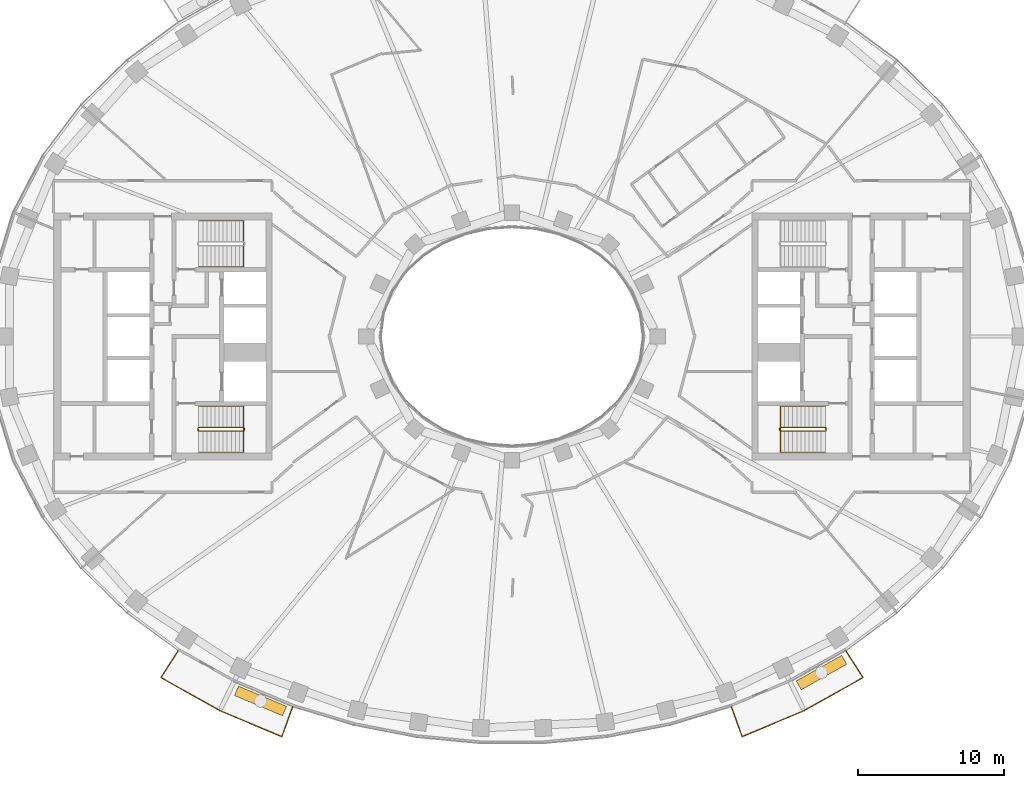
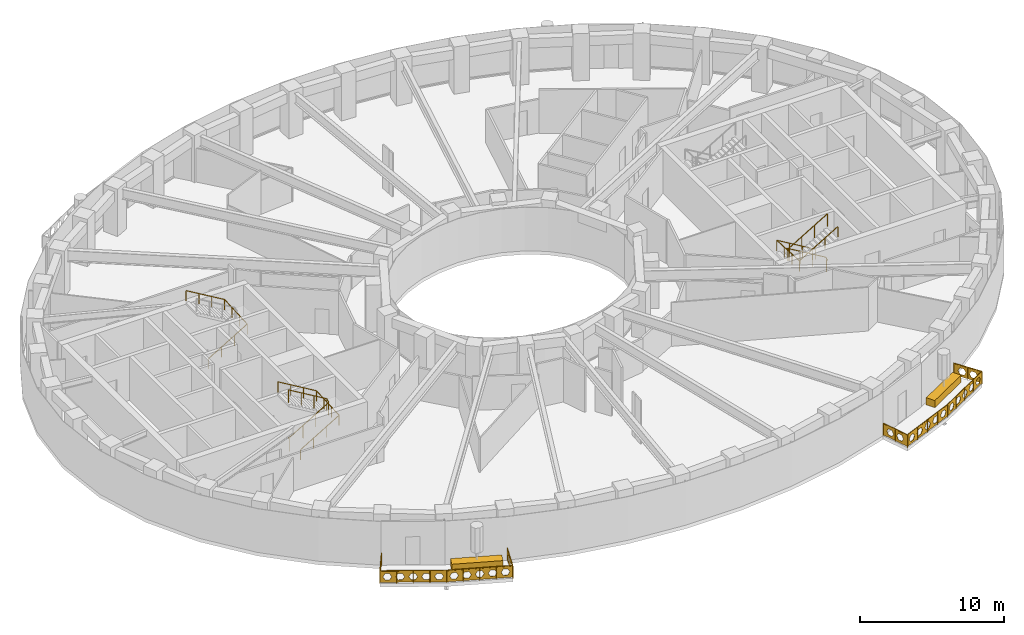
# One storey, part 13 of 15: 7 railings, 2 coverings.
"""IFC4 building model written with IfcOpenShell, lengths in metres."""

from ifc_helpers import new_model, si_unit, direction, frame, origin, origin_2d, place, context, subcontext, project, spatial, polyline, rectangle, outline, extrude, material, type_object, element, save


model = new_model("IFC4")

# Units and contexts
model_context = context("Model", 3, precision=1e-05, world=origin(), true_north=direction((0.0, 1.0)))
body_context = subcontext(model_context, "Body", "Model", "MODEL_VIEW")
ifc_project = project(units=[si_unit("LENGTHUNIT", "METRE"), si_unit("AREAUNIT", "SQUARE_METRE"), si_unit("VOLUMEUNIT", "CUBIC_METRE"), si_unit("PLANEANGLEUNIT", "RADIAN"), si_unit("MASSUNIT", "GRAM", prefix="KILO")], contexts=[model_context])

# Site, building, storey
site_placement = place(None, origin())
site = spatial("IfcSite", under=ifc_project, at=site_placement, CompositionType="ELEMENT")
building_placement = place(site_placement, origin())
building = spatial("IfcBuilding", under=site, at=building_placement, Name="Noorbagh Ring Tower", CompositionType="ELEMENT")
storey_placement = place(building_placement, frame((0.0, 0.0, 194.0)))
storey = spatial("IfcBuildingStorey", under=building, at=storey_placement, Name="L45", CompositionType="ELEMENT", Elevation=194.0)

# Railings
ifc_material_1 = material(Name="Stainless steel", Category="steel")
railing_type_1 = type_object("IfcRailingType", Name="CORE-STAIR-GUARD", PredefinedType="GUARDRAIL", material=ifc_material_1)
railing_1_placement = place(storey_placement, frame((-21.580078125, -6.449951171875, 0.0)))
element("IfcRailing", 1, at=railing_1_placement, inside=storey, type_object=railing_type_1, Name="L45 ST2 stair guard", PredefinedType="GUARDRAIL", context=body_context, shape_type="SweptSolid", body=[
    extrude(rectangle(XDim=0.048095703125, YDim=0.048095703125, at=origin_2d()), frame((0.0, 0.0, 1.076171875), z_axis=(0.0, 1.0, 0.0), x_axis=(-1.0, 0.0, 0.0)), (0.0, 0.0, 1.0), 0.14990234375),
    extrude(rectangle(XDim=0.048095703125, YDim=0.048095703125, at=origin_2d()), frame((0.0, 0.14990234375, 1.076171875), z_axis=(0.188775798145, -0.754182335027, 0.628945707965), x_axis=(0.970072785993, 0.242814311512, 0.0)), (0.0, 0.0, 1.0), 0.26513671875),
    extrude(rectangle(XDim=0.048095703125, YDim=0.048095703125, at=origin_2d()), frame((0.050048828125, -0.050048828125, 1.24267578125), z_axis=(0.859308565015, 0.0, 0.511457515432), x_axis=(0.0, 1.0, 0.0)), (0.0, 0.0, 1.0), 3.58447265625),
    extrude(rectangle(XDim=0.048095703125, YDim=0.048095703125, at=origin_2d()), frame((3.130126953125, -0.050048828125, 3.076171875), z_axis=(0.707106781187, 0.707106781187, 0.0), x_axis=(-0.707106781187, 0.707106781187, 0.0)), (0.0, 0.0, 1.0), 0.07080078125),
    extrude(rectangle(XDim=0.048095703125, YDim=0.048095703125, at=origin_2d()), frame((3.18017578125, 0.0, 3.076171875), z_axis=(0.0, 1.0, 0.0), x_axis=(-1.0, 0.0, 0.0)), (0.0, 0.0, 1.0), 0.14990234375),
    extrude(rectangle(XDim=0.048095703125, YDim=0.048095703125, at=origin_2d()), frame((3.18017578125, 0.14990234375, 3.076171875), z_axis=(-0.27628659633, 0.27628659633, 0.920506074601), x_axis=(-0.707106781187, -0.707106781187, 0.0)), (0.0, 0.0, 1.0), 0.18115234375),
    extrude(rectangle(XDim=0.048095703125, YDim=0.048095703125, at=origin_2d()), frame((3.130126953125, 0.199951171875, 3.24267578125), z_axis=(-0.859308565015, 0.0, 0.511457515432), x_axis=(0.0, -1.0, 0.0)), (0.0, 0.0, 1.0), 3.58447265625),
    extrude(rectangle(XDim=0.0419921875, YDim=0.0419921875, at=origin_2d()), origin(), (0.0, 0.0, 1.0), 1.052001953125),
    extrude(rectangle(XDim=0.0419921875, YDim=0.0419921875, at=origin_2d()), frame((1.07666015625, -0.050048828125, 0.77783203125)), (0.0, 0.0, 1.0), 1.052001953125),
    extrude(rectangle(XDim=0.0419921875, YDim=0.0419921875, at=origin_2d()), frame((2.103515625, -0.050048828125, 1.388916015625)), (0.0, 0.0, 1.0), 1.052001953125),
    extrude(rectangle(XDim=0.0419921875, YDim=0.0419921875, at=origin_2d()), frame((3.130126953125, -0.050048828125, 2.0)), (0.0, 0.0, 1.0), 1.052001953125),
    extrude(rectangle(XDim=0.0419921875, YDim=0.0419921875, at=origin_2d()), frame((3.130126953125, 0.199951171875, 2.166748046875)), (0.0, 0.0, 1.0), 1.052001953125),
    extrude(rectangle(XDim=0.0419921875, YDim=0.0419921875, at=origin_2d()), frame((2.103515625, 0.199951171875, 2.77783203125)), (0.0, 0.0, 1.0), 1.052001953125),
    extrude(rectangle(XDim=0.0419921875, YDim=0.0419921875, at=origin_2d()), frame((1.07666015625, 0.199951171875, 3.388916015625)), (0.0, 0.0, 1.0), 1.052001953125),
    extrude(rectangle(XDim=0.0419921875, YDim=0.0419921875, at=origin_2d()), frame((0.050048828125, 0.199951171875, 4.0)), (0.0, 0.0, 1.0), 1.052001953125),
])
railing_2_placement = place(storey_placement, frame((21.580078125, -6.300048828125, 0.0)))
element("IfcRailing", 2, at=railing_2_placement, inside=storey, type_object=railing_type_1, Name="L45 ST4 stair guard", PredefinedType="GUARDRAIL", context=body_context, shape_type="SweptSolid", body=[
    extrude(rectangle(XDim=0.048095703125, YDim=0.048095703125, at=origin_2d()), frame((0.0, 0.0, 1.076171875), z_axis=(0.0, -1.0, 0.0), x_axis=(1.0, 0.0, 0.0)), (0.0, 0.0, 1.0), 0.14990234375),
    extrude(rectangle(XDim=0.048095703125, YDim=0.048095703125, at=origin_2d()), frame((0.0, -0.14990234375, 1.076171875), z_axis=(-0.188775798145, 0.754182335027, 0.628945707965), x_axis=(-0.970072785993, -0.242814311512, 0.0)), (0.0, 0.0, 1.0), 0.26513671875),
    extrude(rectangle(XDim=0.048095703125, YDim=0.048095703125, at=origin_2d()), frame((-0.050048828125, 0.050048828125, 1.24267578125), z_axis=(-0.859308565015, 0.0, 0.511457515432), x_axis=(0.0, -1.0, 0.0)), (0.0, 0.0, 1.0), 3.58447265625),
    extrude(rectangle(XDim=0.048095703125, YDim=0.048095703125, at=origin_2d()), frame((-3.130126953125, 0.050048828125, 3.076171875), z_axis=(-0.707106781187, -0.707106781187, 0.0), x_axis=(0.707106781187, -0.707106781187, 0.0)), (0.0, 0.0, 1.0), 0.07080078125),
    extrude(rectangle(XDim=0.048095703125, YDim=0.048095703125, at=origin_2d()), frame((-3.18017578125, 0.0, 3.076171875), z_axis=(0.0, -1.0, 0.0), x_axis=(1.0, 0.0, 0.0)), (0.0, 0.0, 1.0), 0.14990234375),
    extrude(rectangle(XDim=0.048095703125, YDim=0.048095703125, at=origin_2d()), frame((-3.18017578125, -0.14990234375, 3.076171875), z_axis=(0.27628659633, -0.27628659633, 0.920506074601), x_axis=(0.707106781187, 0.707106781187, 0.0)), (0.0, 0.0, 1.0), 0.18115234375),
    extrude(rectangle(XDim=0.048095703125, YDim=0.048095703125, at=origin_2d()), frame((-3.130126953125, -0.199951171875, 3.24267578125), z_axis=(0.859308565015, 0.0, 0.511457515432), x_axis=(0.0, 1.0, 0.0)), (0.0, 0.0, 1.0), 3.58447265625),
    extrude(rectangle(XDim=0.0419921875, YDim=0.0419921875, at=origin_2d()), origin(), (0.0, 0.0, 1.0), 1.052001953125),
    extrude(rectangle(XDim=0.0419921875, YDim=0.0419921875, at=origin_2d()), frame((-1.07666015625, 0.050048828125, 0.77783203125)), (0.0, 0.0, 1.0), 1.052001953125),
    extrude(rectangle(XDim=0.0419921875, YDim=0.0419921875, at=origin_2d()), frame((-2.103515625, 0.050048828125, 1.388916015625)), (0.0, 0.0, 1.0), 1.052001953125),
    extrude(rectangle(XDim=0.0419921875, YDim=0.0419921875, at=origin_2d()), frame((-3.130126953125, 0.050048828125, 2.0)), (0.0, 0.0, 1.0), 1.052001953125),
    extrude(rectangle(XDim=0.0419921875, YDim=0.0419921875, at=origin_2d()), frame((-3.130126953125, -0.199951171875, 2.166748046875)), (0.0, 0.0, 1.0), 1.052001953125),
    extrude(rectangle(XDim=0.0419921875, YDim=0.0419921875, at=origin_2d()), frame((-2.103515625, -0.199951171875, 2.77783203125)), (0.0, 0.0, 1.0), 1.052001953125),
    extrude(rectangle(XDim=0.0419921875, YDim=0.0419921875, at=origin_2d()), frame((-1.07666015625, -0.199951171875, 3.388916015625)), (0.0, 0.0, 1.0), 1.052001953125),
    extrude(rectangle(XDim=0.0419921875, YDim=0.0419921875, at=origin_2d()), frame((-0.050048828125, -0.199951171875, 4.0)), (0.0, 0.0, 1.0), 1.052001953125),
])
ifc_material_2 = material(Name="Stainless steel", Category="steel")
railing_type_2 = type_object("IfcRailingType", Name="CORE-STAIR-HANDRAIL", PredefinedType="HANDRAIL", material=ifc_material_2)
railing_3_placement = place(storey_placement, frame((-21.530029296875, 4.800048828125, 0.166748046875)))
element("IfcRailing", 3, at=railing_3_placement, inside=storey, type_object=railing_type_2, Name="L45 ST1 stair handrail", PredefinedType="HANDRAIL", context=body_context, shape_type="SweptSolid", body=[
    extrude(rectangle(XDim=0.048095703125, YDim=0.048095703125, at=origin_2d()), frame((0.0, 0.0, 0.8759765625), z_axis=(0.859308565015, 0.0, 0.511457515432), x_axis=(0.0, 1.0, 0.0)), (0.0, 0.0, 1.0), 3.58447265625),
    extrude(rectangle(XDim=0.048095703125, YDim=0.048095703125, at=origin_2d()), frame((3.080078125, 0.0, 2.708984375), z_axis=(0.0, 0.998601747152, 0.052863509014), x_axis=(-1.0, 0.0, 0.0)), (0.0, 0.0, 1.0), 3.154296875),
    extrude(rectangle(XDim=0.048095703125, YDim=0.048095703125, at=origin_2d()), frame((3.080078125, 3.14990234375, 2.8759765625), z_axis=(-0.859308565015, 0.0, 0.511457515432), x_axis=(0.0, -1.0, 0.0)), (0.0, 0.0, 1.0), 3.58447265625),
    extrude(rectangle(XDim=0.0419921875, YDim=0.0419921875, at=origin_2d()), origin(), (0.0, 0.0, 1.0), 0.851806640625),
    extrude(rectangle(XDim=0.0419921875, YDim=0.0419921875, at=origin_2d()), frame((1.026611328125, 0.0, 0.611083984375)), (0.0, 0.0, 1.0), 0.851806640625),
    extrude(rectangle(XDim=0.0419921875, YDim=0.0419921875, at=origin_2d()), frame((2.053466796875, 0.0, 1.22216796875)), (0.0, 0.0, 1.0), 0.851806640625),
    extrude(rectangle(XDim=0.0419921875, YDim=0.0419921875, at=origin_2d()), frame((3.080078125, 0.0, 1.833251953125)), (0.0, 0.0, 1.0), 0.851806640625),
    extrude(rectangle(XDim=0.0419921875, YDim=0.0419921875, at=origin_2d()), frame((3.080078125, 1.050048828125, 1.888916015625)), (0.0, 0.0, 1.0), 0.851806640625),
    extrude(rectangle(XDim=0.0419921875, YDim=0.0419921875, at=origin_2d()), frame((3.080078125, 2.099853515625, 1.9443359375)), (0.0, 0.0, 1.0), 0.851806640625),
    extrude(rectangle(XDim=0.0419921875, YDim=0.0419921875, at=origin_2d()), frame((3.080078125, 3.14990234375, 2.0)), (0.0, 0.0, 1.0), 0.851806640625),
    extrude(rectangle(XDim=0.0419921875, YDim=0.0419921875, at=origin_2d()), frame((2.053466796875, 3.14990234375, 2.611083984375)), (0.0, 0.0, 1.0), 0.851806640625),
    extrude(rectangle(XDim=0.0419921875, YDim=0.0419921875, at=origin_2d()), frame((1.026611328125, 3.14990234375, 3.22216796875)), (0.0, 0.0, 1.0), 0.851806640625),
    extrude(rectangle(XDim=0.0419921875, YDim=0.0419921875, at=origin_2d()), frame((0.0, 3.14990234375, 3.833251953125)), (0.0, 0.0, 1.0), 0.851806640625),
])
railing_4_placement = place(storey_placement, frame((-21.530029296875, -7.949951171875, 0.166748046875)))
element("IfcRailing", 4, at=railing_4_placement, inside=storey, type_object=railing_type_2, Name="L45 ST2 stair handrail", PredefinedType="HANDRAIL", context=body_context, shape_type="SweptSolid", body=[
    extrude(rectangle(XDim=0.048095703125, YDim=0.048095703125, at=origin_2d()), frame((0.0, 0.0, 0.8759765625), z_axis=(0.859308565015, 0.0, 0.511457515432), x_axis=(0.0, 1.0, 0.0)), (0.0, 0.0, 1.0), 3.58447265625),
    extrude(rectangle(XDim=0.048095703125, YDim=0.048095703125, at=origin_2d()), frame((3.080078125, 0.0, 2.708984375), z_axis=(0.0, 0.998601747152, 0.052863509014), x_axis=(-1.0, 0.0, 0.0)), (0.0, 0.0, 1.0), 3.154296875),
    extrude(rectangle(XDim=0.048095703125, YDim=0.048095703125, at=origin_2d()), frame((3.080078125, 3.14990234375, 2.8759765625), z_axis=(-0.859308565015, 0.0, 0.511457515432), x_axis=(0.0, -1.0, 0.0)), (0.0, 0.0, 1.0), 3.58447265625),
    extrude(rectangle(XDim=0.0419921875, YDim=0.0419921875, at=origin_2d()), origin(), (0.0, 0.0, 1.0), 0.851806640625),
    extrude(rectangle(XDim=0.0419921875, YDim=0.0419921875, at=origin_2d()), frame((1.026611328125, 0.0, 0.611083984375)), (0.0, 0.0, 1.0), 0.851806640625),
    extrude(rectangle(XDim=0.0419921875, YDim=0.0419921875, at=origin_2d()), frame((2.053466796875, 0.0, 1.22216796875)), (0.0, 0.0, 1.0), 0.851806640625),
    extrude(rectangle(XDim=0.0419921875, YDim=0.0419921875, at=origin_2d()), frame((3.080078125, 0.0, 1.833251953125)), (0.0, 0.0, 1.0), 0.851806640625),
    extrude(rectangle(XDim=0.0419921875, YDim=0.0419921875, at=origin_2d()), frame((3.080078125, 1.050048828125, 1.888916015625)), (0.0, 0.0, 1.0), 0.851806640625),
    extrude(rectangle(XDim=0.0419921875, YDim=0.0419921875, at=origin_2d()), frame((3.080078125, 2.099853515625, 1.9443359375)), (0.0, 0.0, 1.0), 0.851806640625),
    extrude(rectangle(XDim=0.0419921875, YDim=0.0419921875, at=origin_2d()), frame((3.080078125, 3.14990234375, 2.0)), (0.0, 0.0, 1.0), 0.851806640625),
    extrude(rectangle(XDim=0.0419921875, YDim=0.0419921875, at=origin_2d()), frame((2.053466796875, 3.14990234375, 2.611083984375)), (0.0, 0.0, 1.0), 0.851806640625),
    extrude(rectangle(XDim=0.0419921875, YDim=0.0419921875, at=origin_2d()), frame((1.026611328125, 3.14990234375, 3.22216796875)), (0.0, 0.0, 1.0), 0.851806640625),
    extrude(rectangle(XDim=0.0419921875, YDim=0.0419921875, at=origin_2d()), frame((0.0, 3.14990234375, 3.833251953125)), (0.0, 0.0, 1.0), 0.851806640625),
])
railing_5_placement = place(storey_placement, frame((21.530029296875, -4.800048828125, 0.166748046875)))
element("IfcRailing", 5, at=railing_5_placement, inside=storey, type_object=railing_type_2, Name="L45 ST4 stair handrail", PredefinedType="HANDRAIL", context=body_context, shape_type="SweptSolid", body=[
    extrude(rectangle(XDim=0.048095703125, YDim=0.048095703125, at=origin_2d()), frame((0.0, 0.0, 0.8759765625), z_axis=(-0.859308565015, 0.0, 0.511457515432), x_axis=(0.0, -1.0, 0.0)), (0.0, 0.0, 1.0), 3.58447265625),
    extrude(rectangle(XDim=0.048095703125, YDim=0.048095703125, at=origin_2d()), frame((-3.080078125, 0.0, 2.708984375), z_axis=(0.0, -0.998601747152, 0.052863509014), x_axis=(1.0, 0.0, 0.0)), (0.0, 0.0, 1.0), 3.154296875),
    extrude(rectangle(XDim=0.048095703125, YDim=0.048095703125, at=origin_2d()), frame((-3.080078125, -3.14990234375, 2.8759765625), z_axis=(0.859308565015, 0.0, 0.511457515432), x_axis=(0.0, 1.0, 0.0)), (0.0, 0.0, 1.0), 3.58447265625),
    extrude(rectangle(XDim=0.0419921875, YDim=0.0419921875, at=origin_2d()), origin(), (0.0, 0.0, 1.0), 0.851806640625),
    extrude(rectangle(XDim=0.0419921875, YDim=0.0419921875, at=origin_2d()), frame((-1.026611328125, 0.0, 0.611083984375)), (0.0, 0.0, 1.0), 0.851806640625),
    extrude(rectangle(XDim=0.0419921875, YDim=0.0419921875, at=origin_2d()), frame((-2.053466796875, 0.0, 1.22216796875)), (0.0, 0.0, 1.0), 0.851806640625),
    extrude(rectangle(XDim=0.0419921875, YDim=0.0419921875, at=origin_2d()), frame((-3.080078125, 0.0, 1.833251953125)), (0.0, 0.0, 1.0), 0.851806640625),
    extrude(rectangle(XDim=0.0419921875, YDim=0.0419921875, at=origin_2d()), frame((-3.080078125, -1.050048828125, 1.888916015625)), (0.0, 0.0, 1.0), 0.851806640625),
    extrude(rectangle(XDim=0.0419921875, YDim=0.0419921875, at=origin_2d()), frame((-3.080078125, -2.099853515625, 1.9443359375)), (0.0, 0.0, 1.0), 0.851806640625),
    extrude(rectangle(XDim=0.0419921875, YDim=0.0419921875, at=origin_2d()), frame((-3.080078125, -3.14990234375, 2.0)), (0.0, 0.0, 1.0), 0.851806640625),
    extrude(rectangle(XDim=0.0419921875, YDim=0.0419921875, at=origin_2d()), frame((-2.053466796875, -3.14990234375, 2.611083984375)), (0.0, 0.0, 1.0), 0.851806640625),
    extrude(rectangle(XDim=0.0419921875, YDim=0.0419921875, at=origin_2d()), frame((-1.026611328125, -3.14990234375, 3.22216796875)), (0.0, 0.0, 1.0), 0.851806640625),
    extrude(rectangle(XDim=0.0419921875, YDim=0.0419921875, at=origin_2d()), frame((0.0, -3.14990234375, 3.833251953125)), (0.0, 0.0, 1.0), 0.851806640625),
])
ifc_material_3 = material(Name="Steel S275 black powder-coated", Category="steel")
railing_type_3 = type_object("IfcRailingType", Name="ENV-GUARD", PredefinedType="GUARDRAIL", material=ifc_material_3)
railing_6_placement = place(storey_placement, frame((-22.9326171875, -21.583740234375, 0.0)))
element("IfcRailing", 6, at=railing_6_placement, inside=storey, type_object=railing_type_3, Name="Balcony guard BS02", PredefinedType="GUARDRAIL", context=body_context, shape_type="SweptSolid", body=[
    extrude(rectangle(XDim=0.048095703125, YDim=0.048095703125, at=origin_2d()), frame((0.0, 0.0, 1.076171875), z_axis=(-0.542268136821, -0.840205491406, 0.0), x_axis=(0.840205491406, -0.542268136821, 0.0)), (0.0, 0.0, 1.0), 2.204345703125),
    extrude(rectangle(XDim=0.048095703125, YDim=0.048095703125, at=origin_2d()), frame((-1.1953125, -1.85205078125, 1.076171875), z_axis=(0.872052247658, -0.489412788303, 0.0), x_axis=(0.489412788303, 0.872052247658, 0.0)), (0.0, 0.0, 1.0), 4.646240234375),
    extrude(rectangle(XDim=0.048095703125, YDim=0.048095703125, at=origin_2d()), frame((2.8564453125, -4.1259765625, 1.076171875), z_axis=(0.921809087722, -0.387644174203, 0.0), x_axis=(0.387644174203, 0.921809087722, 0.0)), (0.0, 0.0, 1.0), 4.627197265625),
    extrude(rectangle(XDim=0.048095703125, YDim=0.048095703125, at=origin_2d()), frame((7.121826171875, -5.919677734375, 1.076171875), z_axis=(0.338350546839, 0.941020141896, 0.0), x_axis=(-0.941020141896, 0.338350546839, 0.0)), (0.0, 0.0, 1.0), 2.202880859375),
    extrude(rectangle(XDim=0.0419921875, YDim=0.0419921875, at=origin_2d()), origin(), (0.0, 0.0, 1.0), 1.052001953125),
    extrude(rectangle(XDim=0.0419921875, YDim=0.0419921875, at=origin_2d()), frame((-0.59765625, -0.926025390625, 0.0)), (0.0, 0.0, 1.0), 1.052001953125),
    extrude(rectangle(XDim=0.0419921875, YDim=0.0419921875, at=origin_2d()), frame((-1.1953125, -1.85205078125, 0.0)), (0.0, 0.0, 1.0), 1.052001953125),
    extrude(rectangle(XDim=0.0419921875, YDim=0.0419921875, at=origin_2d()), frame((-0.182373046875, -2.42041015625, 0.0)), (0.0, 0.0, 1.0), 1.052001953125),
    extrude(rectangle(XDim=0.0419921875, YDim=0.0419921875, at=origin_2d()), frame((0.83056640625, -2.989013671875, 0.0)), (0.0, 0.0, 1.0), 1.052001953125),
    extrude(rectangle(XDim=0.0419921875, YDim=0.0419921875, at=origin_2d()), frame((1.843505859375, -3.5576171875, 0.0)), (0.0, 0.0, 1.0), 1.052001953125),
    extrude(rectangle(XDim=0.0419921875, YDim=0.0419921875, at=origin_2d()), frame((2.8564453125, -4.1259765625, 0.0)), (0.0, 0.0, 1.0), 1.052001953125),
    extrude(rectangle(XDim=0.0419921875, YDim=0.0419921875, at=origin_2d()), frame((3.9228515625, -4.574462890625, 0.0)), (0.0, 0.0, 1.0), 1.052001953125),
    extrude(rectangle(XDim=0.0419921875, YDim=0.0419921875, at=origin_2d()), frame((4.9892578125, -5.02294921875, 0.0)), (0.0, 0.0, 1.0), 1.052001953125),
    extrude(rectangle(XDim=0.0419921875, YDim=0.0419921875, at=origin_2d()), frame((6.055419921875, -5.47119140625, 0.0)), (0.0, 0.0, 1.0), 1.052001953125),
    extrude(rectangle(XDim=0.0419921875, YDim=0.0419921875, at=origin_2d()), frame((7.121826171875, -5.919677734375, 0.0)), (0.0, 0.0, 1.0), 1.052001953125),
    extrude(rectangle(XDim=0.0419921875, YDim=0.0419921875, at=origin_2d()), frame((7.49462890625, -4.88330078125, 0.0)), (0.0, 0.0, 1.0), 1.052001953125),
    extrude(rectangle(XDim=0.0419921875, YDim=0.0419921875, at=origin_2d()), frame((7.8671875, -3.8466796875, 0.0)), (0.0, 0.0, 1.0), 1.052001953125),
    extrude(outline(polyline([(0.0, 0.10009765625), (2.204345703125, 0.10009765625), (2.204345703125, 1.031982421875), (0.0, 1.031982421875), (0.0, 0.10009765625)]), holes=[polyline([(0.962158203125, 0.56591796875), (0.80712890625, 0.83447265625), (0.4970703125, 0.83447265625), (0.342041015625, 0.56591796875), (0.4970703125, 0.297607421875), (0.80712890625, 0.297607421875), (0.962158203125, 0.56591796875)]), polyline([(1.862060546875, 0.56591796875), (1.70703125, 0.83447265625), (1.397216796875, 0.83447265625), (1.2421875, 0.56591796875), (1.397216796875, 0.297607421875), (1.70703125, 0.297607421875), (1.862060546875, 0.56591796875)])]), frame((0.00830078125, -0.00537109375, 0.0), z_axis=(-0.840205491406, 0.542268136821, 0.0), x_axis=(-0.542268136821, -0.840205491406, 0.0)), (0.0, 0.0, 1.0), 0.02001953125),
    extrude(outline(polyline([(0.0, 0.10009765625), (4.646240234375, 0.10009765625), (4.646240234375, 1.031982421875), (0.0, 1.031982421875), (0.0, 0.10009765625)]), holes=[polyline([(0.8330078125, 0.56591796875), (0.67822265625, 0.83447265625), (0.3681640625, 0.83447265625), (0.213134765625, 0.56591796875), (0.3681640625, 0.297607421875), (0.67822265625, 0.297607421875), (0.8330078125, 0.56591796875)]), polyline([(1.733154296875, 0.56591796875), (1.578125, 0.83447265625), (1.26806640625, 0.83447265625), (1.113037109375, 0.56591796875), (1.26806640625, 0.297607421875), (1.578125, 0.297607421875), (1.733154296875, 0.56591796875)]), polyline([(2.633056640625, 0.56591796875), (2.47802734375, 0.83447265625), (2.168212890625, 0.83447265625), (2.01318359375, 0.56591796875), (2.168212890625, 0.297607421875), (2.47802734375, 0.297607421875), (2.633056640625, 0.56591796875)]), polyline([(3.533203125, 0.56591796875), (3.378173828125, 0.83447265625), (3.068115234375, 0.83447265625), (2.9130859375, 0.56591796875), (3.068115234375, 0.297607421875), (3.378173828125, 0.297607421875), (3.533203125, 0.56591796875)]), polyline([(4.43310546875, 0.56591796875), (4.278076171875, 0.83447265625), (3.968017578125, 0.83447265625), (3.813232421875, 0.56591796875), (3.968017578125, 0.297607421875), (4.278076171875, 0.297607421875), (4.43310546875, 0.56591796875)])]), frame((-1.1904296875, -1.84326171875, 0.0), z_axis=(-0.489412788303, -0.872052247658, 0.0), x_axis=(0.872052247658, -0.489412788303, 0.0)), (0.0, 0.0, 1.0), 0.02001953125),
    extrude(outline(polyline([(0.0, 0.10009765625), (4.627197265625, 0.10009765625), (4.627197265625, 1.031982421875), (0.0, 1.031982421875), (0.0, 0.10009765625)]), holes=[polyline([(0.823486328125, 0.56591796875), (0.668701171875, 0.83447265625), (0.358642578125, 0.83447265625), (0.20361328125, 0.56591796875), (0.358642578125, 0.297607421875), (0.668701171875, 0.297607421875), (0.823486328125, 0.56591796875)]), polyline([(1.7236328125, 0.56591796875), (1.568603515625, 0.83447265625), (1.258544921875, 0.83447265625), (1.103515625, 0.56591796875), (1.258544921875, 0.297607421875), (1.568603515625, 0.297607421875), (1.7236328125, 0.56591796875)]), polyline([(2.62353515625, 0.56591796875), (2.468505859375, 0.83447265625), (2.15869140625, 0.83447265625), (2.003662109375, 0.56591796875), (2.15869140625, 0.297607421875), (2.468505859375, 0.297607421875), (2.62353515625, 0.56591796875)]), polyline([(3.523681640625, 0.56591796875), (3.36865234375, 0.83447265625), (3.05859375, 0.83447265625), (2.903564453125, 0.56591796875), (3.05859375, 0.297607421875), (3.36865234375, 0.297607421875), (3.523681640625, 0.56591796875)]), polyline([(4.423583984375, 0.56591796875), (4.2685546875, 0.83447265625), (3.95849609375, 0.83447265625), (3.8037109375, 0.56591796875), (3.95849609375, 0.297607421875), (4.2685546875, 0.297607421875), (4.423583984375, 0.56591796875)])]), frame((2.8603515625, -4.11669921875, 0.0), z_axis=(-0.387644174203, -0.921809087722, 0.0), x_axis=(0.921809087722, -0.387644174203, 0.0)), (0.0, 0.0, 1.0), 0.02001953125),
    extrude(outline(polyline([(0.0, 0.10009765625), (2.202880859375, 0.10009765625), (2.202880859375, 1.031982421875), (0.0, 1.031982421875), (0.0, 0.10009765625)]), holes=[polyline([(0.96142578125, 0.56591796875), (0.806396484375, 0.83447265625), (0.49658203125, 0.83447265625), (0.341552734375, 0.56591796875), (0.49658203125, 0.297607421875), (0.806396484375, 0.297607421875), (0.96142578125, 0.56591796875)]), polyline([(1.861572265625, 0.56591796875), (1.70654296875, 0.83447265625), (1.396484375, 0.83447265625), (1.241455078125, 0.56591796875), (1.396484375, 0.297607421875), (1.70654296875, 0.297607421875), (1.861572265625, 0.56591796875)])]), frame((7.1123046875, -5.916259765625, 0.0), z_axis=(0.941020141896, -0.338350546839, 0.0), x_axis=(0.338350546839, 0.941020141896, 0.0)), (0.0, 0.0, 1.0), 0.02001953125),
])
railing_7_placement = place(storey_placement, frame((15.0654296875, -25.430419921875, 0.0)))
element("IfcRailing", 7, at=railing_7_placement, inside=storey, type_object=railing_type_3, Name="Balcony guard BS05", PredefinedType="GUARDRAIL", context=body_context, shape_type="SweptSolid", body=[
    extrude(rectangle(XDim=0.048095703125, YDim=0.048095703125, at=origin_2d()), frame((0.0, 0.0, 1.076171875), z_axis=(0.338350546839, -0.941020141896, 0.0), x_axis=(0.941020141896, 0.338350546839, 0.0)), (0.0, 0.0, 1.0), 2.202880859375),
    extrude(rectangle(XDim=0.048095703125, YDim=0.048095703125, at=origin_2d()), frame((0.745361328125, -2.072998046875, 1.076171875), z_axis=(0.921809087722, 0.387644174203, 0.0), x_axis=(-0.387644174203, 0.921809087722, 0.0)), (0.0, 0.0, 1.0), 4.627197265625),
    extrude(rectangle(XDim=0.048095703125, YDim=0.048095703125, at=origin_2d()), frame((5.0107421875, -0.279296875, 1.076171875), z_axis=(0.872052247658, 0.489412788303, 0.0), x_axis=(-0.489412788303, 0.872052247658, 0.0)), (0.0, 0.0, 1.0), 4.646240234375),
    extrude(rectangle(XDim=0.048095703125, YDim=0.048095703125, at=origin_2d()), frame((9.0625, 1.99462890625, 1.076171875), z_axis=(-0.542268136821, 0.840205491406, 0.0), x_axis=(-0.840205491406, -0.542268136821, 0.0)), (0.0, 0.0, 1.0), 2.204345703125),
    extrude(rectangle(XDim=0.0419921875, YDim=0.0419921875, at=origin_2d()), origin(), (0.0, 0.0, 1.0), 1.052001953125),
    extrude(rectangle(XDim=0.0419921875, YDim=0.0419921875, at=origin_2d()), frame((0.37255859375, -1.03662109375, 0.0)), (0.0, 0.0, 1.0), 1.052001953125),
    extrude(rectangle(XDim=0.0419921875, YDim=0.0419921875, at=origin_2d()), frame((0.745361328125, -2.072998046875, 0.0)), (0.0, 0.0, 1.0), 1.052001953125),
    extrude(rectangle(XDim=0.0419921875, YDim=0.0419921875, at=origin_2d()), frame((1.811767578125, -1.62451171875, 0.0)), (0.0, 0.0, 1.0), 1.052001953125),
    extrude(rectangle(XDim=0.0419921875, YDim=0.0419921875, at=origin_2d()), frame((2.8779296875, -1.17626953125, 0.0)), (0.0, 0.0, 1.0), 1.052001953125),
    extrude(rectangle(XDim=0.0419921875, YDim=0.0419921875, at=origin_2d()), frame((3.9443359375, -0.727783203125, 0.0)), (0.0, 0.0, 1.0), 1.052001953125),
    extrude(rectangle(XDim=0.0419921875, YDim=0.0419921875, at=origin_2d()), frame((5.0107421875, -0.279296875, 0.0)), (0.0, 0.0, 1.0), 1.052001953125),
    extrude(rectangle(XDim=0.0419921875, YDim=0.0419921875, at=origin_2d()), frame((6.023681640625, 0.2890625, 0.0)), (0.0, 0.0, 1.0), 1.052001953125),
    extrude(rectangle(XDim=0.0419921875, YDim=0.0419921875, at=origin_2d()), frame((7.03662109375, 0.857666015625, 0.0)), (0.0, 0.0, 1.0), 1.052001953125),
    extrude(rectangle(XDim=0.0419921875, YDim=0.0419921875, at=origin_2d()), frame((8.049560546875, 1.42626953125, 0.0)), (0.0, 0.0, 1.0), 1.052001953125),
    extrude(rectangle(XDim=0.0419921875, YDim=0.0419921875, at=origin_2d()), frame((9.0625, 1.99462890625, 0.0)), (0.0, 0.0, 1.0), 1.052001953125),
    extrude(rectangle(XDim=0.0419921875, YDim=0.0419921875, at=origin_2d()), frame((8.46484375, 2.920654296875, 0.0)), (0.0, 0.0, 1.0), 1.052001953125),
    extrude(rectangle(XDim=0.0419921875, YDim=0.0419921875, at=origin_2d()), frame((7.8671875, 3.8466796875, 0.0)), (0.0, 0.0, 1.0), 1.052001953125),
    extrude(outline(polyline([(0.0, 0.10009765625), (2.202880859375, 0.10009765625), (2.202880859375, 1.031982421875), (0.0, 1.031982421875), (0.0, 0.10009765625)]), holes=[polyline([(0.96142578125, 0.56591796875), (0.806396484375, 0.83447265625), (0.49658203125, 0.83447265625), (0.341552734375, 0.56591796875), (0.49658203125, 0.297607421875), (0.806396484375, 0.297607421875), (0.96142578125, 0.56591796875)]), polyline([(1.861572265625, 0.56591796875), (1.70654296875, 0.83447265625), (1.396484375, 0.83447265625), (1.241455078125, 0.56591796875), (1.396484375, 0.297607421875), (1.70654296875, 0.297607421875), (1.861572265625, 0.56591796875)])]), frame((0.009521484375, 0.00341796875, 0.0), z_axis=(-0.941020141896, -0.338350546839, 0.0), x_axis=(0.338350546839, -0.941020141896, 0.0)), (0.0, 0.0, 1.0), 0.02001953125),
    extrude(outline(polyline([(0.0, 0.10009765625), (4.627197265625, 0.10009765625), (4.627197265625, 1.031982421875), (0.0, 1.031982421875), (0.0, 0.10009765625)]), holes=[polyline([(0.823486328125, 0.56591796875), (0.668701171875, 0.83447265625), (0.358642578125, 0.83447265625), (0.20361328125, 0.56591796875), (0.358642578125, 0.297607421875), (0.668701171875, 0.297607421875), (0.823486328125, 0.56591796875)]), polyline([(1.7236328125, 0.56591796875), (1.568603515625, 0.83447265625), (1.258544921875, 0.83447265625), (1.103515625, 0.56591796875), (1.258544921875, 0.297607421875), (1.568603515625, 0.297607421875), (1.7236328125, 0.56591796875)]), polyline([(2.62353515625, 0.56591796875), (2.468505859375, 0.83447265625), (2.15869140625, 0.83447265625), (2.003662109375, 0.56591796875), (2.15869140625, 0.297607421875), (2.468505859375, 0.297607421875), (2.62353515625, 0.56591796875)]), polyline([(3.523681640625, 0.56591796875), (3.36865234375, 0.83447265625), (3.05859375, 0.83447265625), (2.903564453125, 0.56591796875), (3.05859375, 0.297607421875), (3.36865234375, 0.297607421875), (3.523681640625, 0.56591796875)]), polyline([(4.423583984375, 0.56591796875), (4.2685546875, 0.83447265625), (3.95849609375, 0.83447265625), (3.8037109375, 0.56591796875), (3.95849609375, 0.297607421875), (4.2685546875, 0.297607421875), (4.423583984375, 0.56591796875)])]), frame((0.741455078125, -2.063720703125, 0.0), z_axis=(0.387644174203, -0.921809087722, 0.0), x_axis=(0.921809087722, 0.387644174203, 0.0)), (0.0, 0.0, 1.0), 0.02001953125),
    extrude(outline(polyline([(0.0, 0.10009765625), (4.646240234375, 0.10009765625), (4.646240234375, 1.031982421875), (0.0, 1.031982421875), (0.0, 0.10009765625)]), holes=[polyline([(0.8330078125, 0.56591796875), (0.67822265625, 0.83447265625), (0.3681640625, 0.83447265625), (0.213134765625, 0.56591796875), (0.3681640625, 0.297607421875), (0.67822265625, 0.297607421875), (0.8330078125, 0.56591796875)]), polyline([(1.733154296875, 0.56591796875), (1.578125, 0.83447265625), (1.26806640625, 0.83447265625), (1.113037109375, 0.56591796875), (1.26806640625, 0.297607421875), (1.578125, 0.297607421875), (1.733154296875, 0.56591796875)]), polyline([(2.633056640625, 0.56591796875), (2.47802734375, 0.83447265625), (2.168212890625, 0.83447265625), (2.01318359375, 0.56591796875), (2.168212890625, 0.297607421875), (2.47802734375, 0.297607421875), (2.633056640625, 0.56591796875)]), polyline([(3.533203125, 0.56591796875), (3.378173828125, 0.83447265625), (3.068115234375, 0.83447265625), (2.9130859375, 0.56591796875), (3.068115234375, 0.297607421875), (3.378173828125, 0.297607421875), (3.533203125, 0.56591796875)]), polyline([(4.43310546875, 0.56591796875), (4.278076171875, 0.83447265625), (3.968017578125, 0.83447265625), (3.813232421875, 0.56591796875), (3.968017578125, 0.297607421875), (4.278076171875, 0.297607421875), (4.43310546875, 0.56591796875)])]), frame((5.005859375, -0.2705078125, 0.0), z_axis=(0.489412788303, -0.872052247658, 0.0), x_axis=(0.872052247658, 0.489412788303, 0.0)), (0.0, 0.0, 1.0), 0.02001953125),
    extrude(outline(polyline([(0.0, 0.10009765625), (2.204345703125, 0.10009765625), (2.204345703125, 1.031982421875), (0.0, 1.031982421875), (0.0, 0.10009765625)]), holes=[polyline([(0.962158203125, 0.56591796875), (0.80712890625, 0.83447265625), (0.4970703125, 0.83447265625), (0.342041015625, 0.56591796875), (0.4970703125, 0.297607421875), (0.80712890625, 0.297607421875), (0.962158203125, 0.56591796875)]), polyline([(1.862060546875, 0.56591796875), (1.70703125, 0.83447265625), (1.397216796875, 0.83447265625), (1.2421875, 0.56591796875), (1.397216796875, 0.297607421875), (1.70703125, 0.297607421875), (1.862060546875, 0.56591796875)])]), frame((9.05419921875, 1.9892578125, 0.0), z_axis=(0.840205491406, 0.542268136821, 0.0), x_axis=(-0.542268136821, 0.840205491406, 0.0)), (0.0, 0.0, 1.0), 0.02001953125),
])

# Coverings
ifc_material_4 = material(Name="Concrete C30/37 planter with soil", Category="concrete")
covering_type = type_object("IfcCoveringType", Name="ENV-PLANTER", PredefinedType="CLADDING", material=ifc_material_4)
covering_1_placement = place(storey_placement, frame((-17.280517578125, -25.041259765625, 0.0), z_axis=(0.0, 0.0, 1.0), x_axis=(0.921811566494, -0.387638279686, 0.0)))
element("IfcCovering", 8, at=covering_1_placement, inside=storey, type_object=covering_type, Name="PLANTER BS02", ObjectType="PLANTER", PredefinedType="CLADDING", context=body_context, shape_type="SweptSolid", body=[
    extrude(rectangle(XDim=3.5859375, YDim=0.699951171875, at=origin_2d()), origin(), (0.0, 0.0, 1.0), 0.60009765625),
])
covering_2_placement = place(storey_placement, frame((21.26513671875, -23.093017578125, 0.0), z_axis=(0.0, 0.0, 1.0), x_axis=(0.872044586249, 0.48942643941, 0.0)))
element("IfcCovering", 9, at=covering_2_placement, inside=storey, type_object=covering_type, Name="PLANTER BS05", ObjectType="PLANTER", PredefinedType="CLADDING", context=body_context, shape_type="SweptSolid", body=[
    extrude(rectangle(XDim=3.58544921875, YDim=0.699951171875, at=origin_2d()), origin(), (0.0, 0.0, 1.0), 0.60009765625),
])

save(model, "model.ifc")
